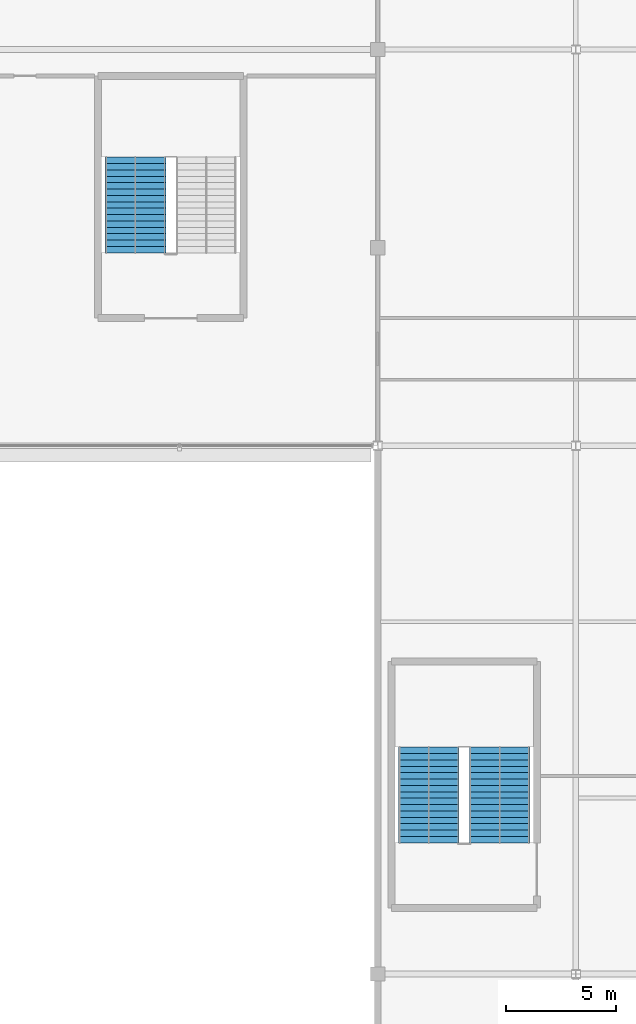
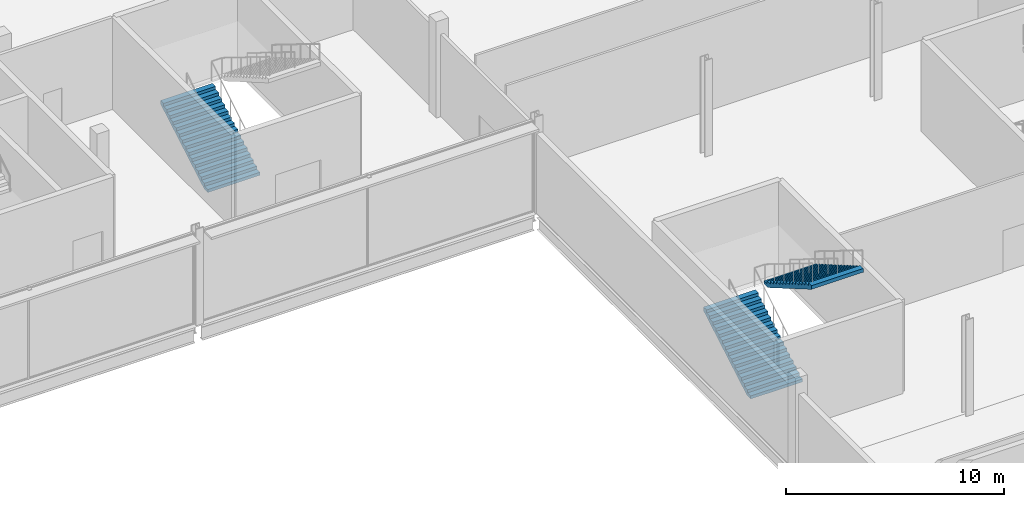
# One storey, part 93 of 111: 3 stair flights, 2 elements without a shape of their own.
"""IFC4 building model written with IfcOpenShell, lengths in metres."""

import ifcopenshell
import ifcopenshell.guid

model = None  # the IFC model being written
_history = None  # IfcOwnerHistory: only IFC2X3 demands one
_inside = {}  # id of a spatial element -> (the spatial element, [elements in it])
_under = {}  # id of a project, library or spatial element -> (it, [spatial elements below it])
_declared = {}  # id of a project -> (the project, [libraries it declares])
_typed = {}  # id of a type object -> (the type object, [elements of that type])
_made_of = {}  # id of a material, layer set ... -> (it, [elements and type objects made of it])


def new_model(schema):
    """Start an empty IFC model of exactly this schema.

    Asked for "IFC4X3", IfcOpenShell would pick the latest addendum, in which some entities
    have other attributes; the version numbers below select the first issue.
    IFC2X3 requires an IfcOwnerHistory on every rooted entity: one is made here for all.
    """
    global model, _history
    if schema == "IFC4X3":
        model = ifcopenshell.file(schema_version=(4, 3, 0, 0))
    else:
        model = ifcopenshell.file(schema=schema)
    _inside.clear()
    _under.clear()
    _declared.clear()
    _typed.clear()
    _made_of.clear()
    _history = None
    if model.schema == "IFC2X3":
        org = make("IfcOrganization", Name="unknown")
        user = make(
            "IfcPersonAndOrganization",
            ThePerson=make("IfcPerson", FamilyName="unknown"),
            TheOrganization=org,
        )
        app = make(
            "IfcApplication",
            ApplicationDeveloper=org,
            Version="unknown",
            ApplicationFullName="unknown",
            ApplicationIdentifier="unknown",
        )
        _history = make(
            "IfcOwnerHistory",
            OwningUser=user,
            OwningApplication=app,
            ChangeAction="ADDED",
            CreationDate=0,
        )
    return model


def make(cls, **values):
    """One entity of the class cls with the attributes given. An attribute that is None is left unset."""
    return model.create_entity(
        cls, **{name: value for name, value in values.items() if value is not None}
    )


def rooted(cls, **values):
    """An entity with a GlobalId (a new one), such as an element, a storey or a relation."""
    return make(cls, GlobalId=ifcopenshell.guid.new(), OwnerHistory=_history, **values)


def si_unit(unit_type, name, prefix=None):
    """IfcSIUnit, for example si_unit("LENGTHUNIT", "METRE", prefix="MILLI")."""
    return make("IfcSIUnit", UnitType=unit_type, Prefix=prefix, Name=name)


def assignment(units):
    """IfcUnitAssignment: the units of a project."""
    return None if units is None else make("IfcUnitAssignment", Units=units)


def point(xyz):
    """IfcCartesianPoint."""
    return None if xyz is None else make("IfcCartesianPoint", Coordinates=xyz)


def direction(xyz):
    """IfcDirection."""
    return None if xyz is None else make("IfcDirection", DirectionRatios=xyz)


def frame(location, z_axis=None, x_axis=None):
    """IfcAxis2Placement3D, a coordinate frame: its origin and axes. An axis left out is left unset."""
    return make(
        "IfcAxis2Placement3D",
        Location=point(location),
        Axis=direction(z_axis),
        RefDirection=direction(x_axis),
    )


def origin():
    """The frame at (0, 0, 0) with its axes left unset."""
    return frame((0.0, 0.0, 0.0))


def place(relative_to, where):
    """IfcLocalPlacement: puts the frame where relative to a parent placement (None: the world)."""
    return make(
        "IfcLocalPlacement", PlacementRelTo=relative_to, RelativePlacement=where
    )


def context(
    kind, dimensions, precision=None, world=None, true_north=None, identifier=None
):
    """IfcGeometricRepresentationContext, for example the 3D "Model" context."""
    return make(
        "IfcGeometricRepresentationContext",
        ContextIdentifier=identifier,
        ContextType=kind,
        CoordinateSpaceDimension=dimensions,
        Precision=precision,
        WorldCoordinateSystem=world,
        TrueNorth=true_north,
    )


def subcontext(parent, identifier, kind, view, scale=None):
    """IfcGeometricRepresentationSubContext, for example "Body" below "Model"."""
    return make(
        "IfcGeometricRepresentationSubContext",
        ContextIdentifier=identifier,
        ContextType=kind,
        ParentContext=parent,
        TargetScale=scale,
        TargetView=view,
    )


def project(units=None, contexts=None):
    """IfcProject with its units and contexts."""
    return rooted(
        "IfcProject",
        Name="project",
        RepresentationContexts=contexts,
        UnitsInContext=assignment(units),
    )


def spatial(cls, under=None, at=None, **own):
    """A site, building, storey or space (cls), placed at a placement, below another one or the project."""
    s = rooted(cls, ObjectPlacement=at, **own)
    if under is not None:
        _under.setdefault(under.id(), (under, []))[1].append(s)
    return s


def point_list(points):
    """IfcCartesianPointList2D or 3D."""
    cls = (
        "IfcCartesianPointList2D" if len(points[0]) == 2 else "IfcCartesianPointList3D"
    )
    return make(cls, CoordList=points)


def polygons(points, faces, closed=None, point_numbers=None):
    """IfcPolygonalFaceSet: a face is its outer loop, then its inner loops; points numbered from 1."""
    made = []
    for loops in faces:
        if len(loops) == 1:
            made.append(make("IfcIndexedPolygonalFace", CoordIndex=loops[0]))
        else:
            made.append(
                make(
                    "IfcIndexedPolygonalFaceWithVoids",
                    CoordIndex=loops[0],
                    InnerCoordIndices=loops[1:],
                )
            )
    return make(
        "IfcPolygonalFaceSet",
        Coordinates=point_list(points),
        Closed=closed,
        Faces=made,
        PnIndex=point_numbers,
    )


def shape(context_of_items, identifier, shape_type, items):
    """IfcShapeRepresentation: the items that make up one representation, for example the "Body"."""
    return make(
        "IfcShapeRepresentation",
        ContextOfItems=context_of_items,
        RepresentationIdentifier=identifier,
        RepresentationType=shape_type,
        Items=items,
    )


def material(Name=None, Category=None):
    """IfcMaterial."""
    return make("IfcMaterial", Name=Name, Category=Category)


def made_of(thing, what):
    """Note that an element or type object is made of a material, layer set ...; save() writes the relation."""
    if what is not None:
        _made_of.setdefault(what.id(), (what, []))[1].append(thing)
    return thing


def type_object(cls, material=None, **own):
    """A type object (cls), such as IfcWallType, which elements share."""
    return made_of(rooted(cls, **own), material)


def element(
    cls,
    number,
    at=None,
    inside=None,
    cuts=None,
    type_object=None,
    material=None,
    context=None,
    identifier="Body",
    shape_type=None,
    held_by="IfcProductDefinitionShape",
    body=None,
    shapes=None,
    **own,
):
    """One element of the class cls, such as IfcWall. Its Tag is "e" and its number.

    at: its placement. inside: the storey or other place that contains it. cuts: it is an
    opening in that element (IfcRelVoidsElement). A single representation is given by context,
    identifier, shape_type and body (its items); several are given by shapes. held_by: the class
    of the entity that holds the representations. save() writes the other relations.
    """
    e = rooted(cls, Tag="e%d" % number, ObjectPlacement=at, **own)
    if body is not None:
        shapes = [shape(context, identifier, shape_type, body)]
    if shapes is not None:
        e.Representation = make(held_by, Representations=shapes)
    if inside is not None:
        _inside.setdefault(inside.id(), (inside, []))[1].append(e)
    if cuts is not None:
        rooted(
            "IfcRelVoidsElement", RelatingBuildingElement=cuts, RelatedOpeningElement=e
        )
    if type_object is not None:
        _typed.setdefault(type_object.id(), (type_object, []))[1].append(e)
    return made_of(e, material)


def aggregate(whole, parts):
    """IfcRelAggregates: a whole, such as a stair, and the parts it consists of."""
    return rooted("IfcRelAggregates", RelatingObject=whole, RelatedObjects=parts)


def save(model, path):
    """Write the relations noted so far, then the file.

    IfcRelAggregates (storeys below a building ...), IfcRelContainedInSpatialStructure (elements
    in a storey), IfcRelDefinesByType, IfcRelAssociatesMaterial and IfcRelDeclares: one each for
    every whole, place, type object, material and project.
    """
    for whole, parts in _under.values():
        aggregate(whole, parts)
    for where, things in _inside.values():
        rooted(
            "IfcRelContainedInSpatialStructure",
            RelatedElements=things,
            RelatingStructure=where,
        )
    for kind, things in _typed.values():
        rooted("IfcRelDefinesByType", RelatedObjects=things, RelatingType=kind)
    for what, things in _made_of.values():
        rooted("IfcRelAssociatesMaterial", RelatedObjects=things, RelatingMaterial=what)
    for by, libraries in _declared.values():
        rooted("IfcRelDeclares", RelatingContext=by, RelatedDefinitions=libraries)
    model.write(path)


model = new_model("IFC4")

# Units and contexts
model_context = context("Model", 3, precision=1e-05, world=origin(), true_north=direction((0.0, 1.0)))
body_context = subcontext(model_context, "Body", "Model", "MODEL_VIEW")
ifc_project = project(units=[si_unit("LENGTHUNIT", "METRE"), si_unit("AREAUNIT", "SQUARE_METRE"), si_unit("VOLUMEUNIT", "CUBIC_METRE"), si_unit("PLANEANGLEUNIT", "RADIAN"), si_unit("MASSUNIT", "GRAM", prefix="KILO")], contexts=[model_context])

# Site, building, storey
site_placement = place(None, origin())
site = spatial("IfcSite", under=ifc_project, at=site_placement, CompositionType="ELEMENT")
building_placement = place(site_placement, origin())
building = spatial("IfcBuilding", under=site, at=building_placement, Name="Kisiwana Market Hall", CompositionType="ELEMENT")
storey_placement = place(building_placement, frame((0.0, 0.0, 11.39990234375)))
storey = spatial("IfcBuildingStorey", under=building, at=storey_placement, Name="L02", CompositionType="ELEMENT", Elevation=11.39990234375)

# Stair, stair flights
ifc_material_1 = material(Name="Concrete C32/40", Category="concrete")
stair_type = type_object("IfcStairType", Name="ST-ESC-5400", PredefinedType="TWO_STRAIGHT_RUN_STAIR", material=ifc_material_1)
stair_1_placement = place(storey_placement, origin())
stair_1 = element("IfcStair", 1, at=stair_1_placement, inside=storey, type_object=stair_type, Name="Escape stair ST-E10-L02", PredefinedType="TWO_STRAIGHT_RUN_STAIR")
ifc_material_2 = material(Name="Concrete C32/40", Category="concrete")
stair_flight_type = type_object("IfcStairFlightType", Name="SF-ESC-5400", PredefinedType="STRAIGHT", material=ifc_material_2)
stair_flight_1_placement = place(storey_placement, frame((155.320068359375, 65.9599609375, 0.0), z_axis=(0.0, 0.0, 1.0), x_axis=(0.0, 1.0, 0.0)))
stair_flight_1 = element("IfcStairFlight", 2, at=stair_flight_1_placement, type_object=stair_flight_type, Name="ST-E10-L02 flight 1", NumberOfRisers=16, NumberOfTreads=15, PredefinedType="STRAIGHT", RiserHeight=0.16875, TreadLength=0.29, context=body_context, shape_type="Tessellation", body=[
    polygons([(0.0, -1.380127, 0.0), (0.0, -0.690125, 0.0), (0.0, -0.000122, 0.0), (0.0, 0.68988, 0.0), (0.0, 1.379883, 0.0), (0.0, -1.380127, 0.168701), (0.0, -0.690125, 0.168701), (0.0, -0.000122, 0.168701), (0.0, 0.68988, 0.168701), (0.0, 1.379883, 0.168701), (0.290039, -1.380127, 0.168701), (0.290039, -0.690125, 0.168701), (0.290039, -0.000122, 0.168701), (0.290039, 0.68988, 0.168701), (0.290039, 1.379883, 0.168701), (0.290039, -1.380127, 0.337402), (0.290039, -0.690125, 0.337402), (0.290039, -0.000122, 0.337402), (0.290039, 0.68988, 0.337402), (0.290039, 1.379883, 0.337402), (0.580078, -1.380127, 0.337402), (0.580078, -0.690125, 0.337402), (0.580078, -0.000122, 0.337402), (0.580078, 0.68988, 0.337402), (0.580078, 1.379883, 0.337402), (0.580078, -1.380127, 0.506348), (0.580078, -0.690125, 0.506348), (0.580078, -0.000122, 0.506348), (0.580078, 0.68988, 0.506348), (0.580078, 1.379883, 0.506348), (0.870117, -1.380127, 0.506348), (0.870117, -0.690125, 0.506348), (0.870117, -0.000122, 0.506348), (0.870117, 0.68988, 0.506348), (0.870117, 1.379883, 0.506348), (0.870117, -1.380127, 0.675049), (0.870117, -0.690125, 0.675049), (0.870117, -0.000122, 0.675049), (0.870117, 0.68988, 0.675049), (0.870117, 1.379883, 0.675049), (1.159912, -1.380127, 0.675049), (1.159912, -0.690125, 0.675049), (1.159912, -0.000122, 0.675049), (1.159912, 0.68988, 0.675049), (1.159912, 1.379883, 0.675049), (1.159912, -1.380127, 0.84375), (1.159912, -0.690125, 0.84375), (1.159912, -0.000122, 0.84375), (1.159912, 0.68988, 0.84375), (1.159912, 1.379883, 0.84375), (1.449951, -1.380127, 0.84375), (1.449951, -0.690125, 0.84375), (1.449951, -0.000122, 0.84375), (1.449951, 0.68988, 0.84375), (1.449951, 1.379883, 0.84375), (1.449951, -1.380127, 1.012451), (1.449951, -0.690125, 1.012451), (1.449951, -0.000122, 1.012451), (1.449951, 0.68988, 1.012451), (1.449951, 1.379883, 1.012451), (1.73999, -1.380127, 1.012451), (1.73999, -0.690125, 1.012451), (1.73999, -0.000122, 1.012451), (1.73999, 0.68988, 1.012451), (1.73999, 1.379883, 1.012451), (1.73999, -1.380127, 1.181152), (1.73999, -0.690125, 1.181152), (1.73999, -0.000122, 1.181152), (1.73999, 0.68988, 1.181152), (1.73999, 1.379883, 1.181152), (2.030029, -1.380127, 1.181152), (2.030029, -0.690125, 1.181152), (2.030029, -0.000122, 1.181152), (2.030029, 0.68988, 1.181152), (2.030029, 1.379883, 1.181152), (2.030029, -1.380127, 1.350098), (2.030029, -0.690125, 1.350098), (2.030029, -0.000122, 1.350098), (2.030029, 0.68988, 1.350098), (2.030029, 1.379883, 1.350098), (2.320068, -1.380127, 1.350098), (2.320068, -0.690125, 1.350098), (2.320068, -0.000122, 1.350098), (2.320068, 0.68988, 1.350098), (2.320068, 1.379883, 1.350098), (2.320068, -1.380127, 1.518799), (2.320068, -0.690125, 1.518799), (2.320068, -0.000122, 1.518799), (2.320068, 0.68988, 1.518799), (2.320068, 1.379883, 1.518799), (2.610107, -1.380127, 1.518799), (2.610107, -0.690125, 1.518799), (2.610107, -0.000122, 1.518799), (2.610107, 0.68988, 1.518799), (2.610107, 1.379883, 1.518799), (2.610107, -1.380127, 1.6875), (2.610107, -0.690125, 1.6875), (2.610107, -0.000122, 1.6875), (2.610107, 0.68988, 1.6875), (2.610107, 1.379883, 1.6875), (2.899902, -1.380127, 1.6875), (2.899902, -0.690125, 1.6875), (2.899902, -0.000122, 1.6875), (2.899902, 0.68988, 1.6875), (2.899902, 1.379883, 1.6875), (2.899902, -1.380127, 1.856201), (2.899902, -0.690125, 1.856201), (2.899902, -0.000122, 1.856201), (2.899902, 0.68988, 1.856201), (2.899902, 1.379883, 1.856201), (3.189941, -1.380127, 1.856201), (3.189941, -0.690125, 1.856201), (3.189941, -0.000122, 1.856201), (3.189941, 0.68988, 1.856201), (3.189941, 1.379883, 1.856201), (3.189941, -1.380127, 2.024902), (3.189941, -0.690125, 2.024902), (3.189941, -0.000122, 2.024902), (3.189941, 0.68988, 2.024902), (3.189941, 1.379883, 2.024902), (3.47998, -1.380127, 2.024902), (3.47998, -0.690125, 2.024902), (3.47998, -0.000122, 2.024902), (3.47998, 0.68988, 2.024902), (3.47998, 1.379883, 2.024902), (3.47998, -1.380127, 2.193848), (3.47998, -0.690125, 2.193848), (3.47998, -0.000122, 2.193848), (3.47998, 0.68988, 2.193848), (3.47998, 1.379883, 2.193848), (3.77002, -1.380127, 2.193848), (3.77002, -0.690125, 2.193848), (3.77002, -0.000122, 2.193848), (3.77002, 0.68988, 2.193848), (3.77002, 1.379883, 2.193848), (3.77002, -1.380127, 2.362549), (3.77002, -0.690125, 2.362549), (3.77002, -0.000122, 2.362549), (3.77002, 0.68988, 2.362549), (3.77002, 1.379883, 2.362549), (4.060059, -1.380127, 2.362549), (4.060059, -0.690125, 2.362549), (4.060059, -0.000122, 2.362549), (4.060059, 0.68988, 2.362549), (4.060059, 1.379883, 2.362549), (4.060059, -1.380127, 2.53125), (4.060059, -0.690125, 2.53125), (4.060059, -0.000122, 2.53125), (4.060059, 0.68988, 2.53125), (4.060059, 1.379883, 2.53125), (4.350098, -1.380127, 2.53125), (4.350098, -0.690125, 2.53125), (4.350098, -0.000122, 2.53125), (4.350098, 0.68988, 2.53125), (4.350098, 1.379883, 2.53125), (4.350098, -1.380127, 2.322998), (4.350098, -0.690125, 2.322998), (4.350098, -0.000122, 2.322998), (4.350098, 0.68988, 2.322998), (4.350098, 1.379883, 2.322998), (0.357666, -1.380127, 0.0), (0.357666, -0.690125, 0.0), (0.357666, -0.000122, 0.0), (0.357666, 0.68988, 0.0), (0.357666, 1.379883, 0.0)], [[[1, 6, 7, 2]], [[2, 7, 8, 3]], [[3, 8, 9, 4]], [[4, 9, 10, 5]], [[6, 11, 12, 7]], [[7, 12, 13, 8]], [[8, 13, 14, 9]], [[9, 14, 15, 10]], [[11, 16, 17, 12]], [[12, 17, 18, 13]], [[13, 18, 19, 14]], [[14, 19, 20, 15]], [[16, 21, 22, 17]], [[17, 22, 23, 18]], [[18, 23, 24, 19]], [[19, 24, 25, 20]], [[21, 26, 27, 22]], [[22, 27, 28, 23]], [[23, 28, 29, 24]], [[24, 29, 30, 25]], [[26, 31, 32, 27]], [[27, 32, 33, 28]], [[28, 33, 34, 29]], [[29, 34, 35, 30]], [[31, 36, 37, 32]], [[32, 37, 38, 33]], [[33, 38, 39, 34]], [[34, 39, 40, 35]], [[36, 41, 42, 37]], [[37, 42, 43, 38]], [[38, 43, 44, 39]], [[39, 44, 45, 40]], [[41, 46, 47, 42]], [[42, 47, 48, 43]], [[43, 48, 49, 44]], [[44, 49, 50, 45]], [[46, 51, 52, 47]], [[47, 52, 53, 48]], [[48, 53, 54, 49]], [[49, 54, 55, 50]], [[51, 56, 57, 52]], [[52, 57, 58, 53]], [[53, 58, 59, 54]], [[54, 59, 60, 55]], [[56, 61, 62, 57]], [[57, 62, 63, 58]], [[58, 63, 64, 59]], [[59, 64, 65, 60]], [[61, 66, 67, 62]], [[62, 67, 68, 63]], [[63, 68, 69, 64]], [[64, 69, 70, 65]], [[66, 71, 72, 67]], [[67, 72, 73, 68]], [[68, 73, 74, 69]], [[69, 74, 75, 70]], [[71, 76, 77, 72]], [[72, 77, 78, 73]], [[73, 78, 79, 74]], [[74, 79, 80, 75]], [[76, 81, 82, 77]], [[77, 82, 83, 78]], [[78, 83, 84, 79]], [[79, 84, 85, 80]], [[81, 86, 87, 82]], [[82, 87, 88, 83]], [[83, 88, 89, 84]], [[84, 89, 90, 85]], [[86, 91, 92, 87]], [[87, 92, 93, 88]], [[88, 93, 94, 89]], [[89, 94, 95, 90]], [[91, 96, 97, 92]], [[92, 97, 98, 93]], [[93, 98, 99, 94]], [[94, 99, 100, 95]], [[96, 101, 102, 97]], [[97, 102, 103, 98]], [[98, 103, 104, 99]], [[99, 104, 105, 100]], [[101, 106, 107, 102]], [[102, 107, 108, 103]], [[103, 108, 109, 104]], [[104, 109, 110, 105]], [[106, 111, 112, 107]], [[107, 112, 113, 108]], [[108, 113, 114, 109]], [[109, 114, 115, 110]], [[111, 116, 117, 112]], [[112, 117, 118, 113]], [[113, 118, 119, 114]], [[114, 119, 120, 115]], [[116, 121, 122, 117]], [[117, 122, 123, 118]], [[118, 123, 124, 119]], [[119, 124, 125, 120]], [[121, 126, 127, 122]], [[122, 127, 128, 123]], [[123, 128, 129, 124]], [[124, 129, 130, 125]], [[126, 131, 132, 127]], [[127, 132, 133, 128]], [[128, 133, 134, 129]], [[129, 134, 135, 130]], [[131, 136, 137, 132]], [[132, 137, 138, 133]], [[133, 138, 139, 134]], [[134, 139, 140, 135]], [[136, 141, 142, 137]], [[137, 142, 143, 138]], [[138, 143, 144, 139]], [[139, 144, 145, 140]], [[141, 146, 147, 142]], [[142, 147, 148, 143]], [[143, 148, 149, 144]], [[144, 149, 150, 145]], [[146, 151, 152, 147]], [[147, 152, 153, 148]], [[148, 153, 154, 149]], [[149, 154, 155, 150]], [[151, 156, 157, 152]], [[152, 157, 158, 153]], [[153, 158, 159, 154]], [[154, 159, 160, 155]], [[156, 161, 162, 157]], [[157, 162, 163, 158]], [[158, 163, 164, 159]], [[159, 164, 165, 160]], [[161, 1, 2, 162]], [[162, 2, 3, 163]], [[163, 3, 4, 164]], [[164, 4, 5, 165]], [[161, 156, 151, 146, 141, 136, 131, 126, 121, 116, 111, 106, 101, 96, 91, 86, 81, 76, 71, 66, 61, 56, 51, 46, 41, 36, 31, 26, 21, 16, 11, 6, 1]], [[5, 10, 15, 20, 25, 30, 35, 40, 45, 50, 55, 60, 65, 70, 75, 80, 85, 90, 95, 100, 105, 110, 115, 120, 125, 130, 135, 140, 145, 150, 155, 160, 165]]], closed=True),
])
stair_flight_2_placement = place(storey_placement, frame((158.5400390625, 70.31005859375, 2.7001953125), z_axis=(0.0, 0.0, 1.0), x_axis=(0.0, -1.0, 0.0)))
stair_flight_2 = element("IfcStairFlight", 3, at=stair_flight_2_placement, type_object=stair_flight_type, Name="ST-E10-L02 flight 2", NumberOfRisers=16, NumberOfTreads=15, PredefinedType="STRAIGHT", RiserHeight=0.16875, TreadLength=0.29, context=body_context, shape_type="Tessellation", body=[
    polygons([(0.0, -1.380127, 0.0), (0.0, -0.690125, 0.0), (0.0, -0.000122, 0.0), (0.0, 0.68988, 0.0), (0.0, 1.379883, 0.0), (0.0, -1.380127, 0.168701), (0.0, -0.690125, 0.168701), (0.0, -0.000122, 0.168701), (0.0, 0.68988, 0.168701), (0.0, 1.379883, 0.168701), (0.290039, -1.380127, 0.168701), (0.290039, -0.690125, 0.168701), (0.290039, -0.000122, 0.168701), (0.290039, 0.68988, 0.168701), (0.290039, 1.379883, 0.168701), (0.290039, -1.380127, 0.337402), (0.290039, -0.690125, 0.337402), (0.290039, -0.000122, 0.337402), (0.290039, 0.68988, 0.337402), (0.290039, 1.379883, 0.337402), (0.580078, -1.380127, 0.337402), (0.580078, -0.690125, 0.337402), (0.580078, -0.000122, 0.337402), (0.580078, 0.68988, 0.337402), (0.580078, 1.379883, 0.337402), (0.580078, -1.380127, 0.506348), (0.580078, -0.690125, 0.506348), (0.580078, -0.000122, 0.506348), (0.580078, 0.68988, 0.506348), (0.580078, 1.379883, 0.506348), (0.870117, -1.380127, 0.506348), (0.870117, -0.690125, 0.506348), (0.870117, -0.000122, 0.506348), (0.870117, 0.68988, 0.506348), (0.870117, 1.379883, 0.506348), (0.870117, -1.380127, 0.675049), (0.870117, -0.690125, 0.675049), (0.870117, -0.000122, 0.675049), (0.870117, 0.68988, 0.675049), (0.870117, 1.379883, 0.675049), (1.159912, -1.380127, 0.675049), (1.159912, -0.690125, 0.675049), (1.159912, -0.000122, 0.675049), (1.159912, 0.68988, 0.675049), (1.159912, 1.379883, 0.675049), (1.159912, -1.380127, 0.84375), (1.159912, -0.690125, 0.84375), (1.159912, -0.000122, 0.84375), (1.159912, 0.68988, 0.84375), (1.159912, 1.379883, 0.84375), (1.449951, -1.380127, 0.84375), (1.449951, -0.690125, 0.84375), (1.449951, -0.000122, 0.84375), (1.449951, 0.68988, 0.84375), (1.449951, 1.379883, 0.84375), (1.449951, -1.380127, 1.012451), (1.449951, -0.690125, 1.012451), (1.449951, -0.000122, 1.012451), (1.449951, 0.68988, 1.012451), (1.449951, 1.379883, 1.012451), (1.73999, -1.380127, 1.012451), (1.73999, -0.690125, 1.012451), (1.73999, -0.000122, 1.012451), (1.73999, 0.68988, 1.012451), (1.73999, 1.379883, 1.012451), (1.73999, -1.380127, 1.181152), (1.73999, -0.690125, 1.181152), (1.73999, -0.000122, 1.181152), (1.73999, 0.68988, 1.181152), (1.73999, 1.379883, 1.181152), (2.030029, -1.380127, 1.181152), (2.030029, -0.690125, 1.181152), (2.030029, -0.000122, 1.181152), (2.030029, 0.68988, 1.181152), (2.030029, 1.379883, 1.181152), (2.030029, -1.380127, 1.350098), (2.030029, -0.690125, 1.350098), (2.030029, -0.000122, 1.350098), (2.030029, 0.68988, 1.350098), (2.030029, 1.379883, 1.350098), (2.320068, -1.380127, 1.350098), (2.320068, -0.690125, 1.350098), (2.320068, -0.000122, 1.350098), (2.320068, 0.68988, 1.350098), (2.320068, 1.379883, 1.350098), (2.320068, -1.380127, 1.518799), (2.320068, -0.690125, 1.518799), (2.320068, -0.000122, 1.518799), (2.320068, 0.68988, 1.518799), (2.320068, 1.379883, 1.518799), (2.610107, -1.380127, 1.518799), (2.610107, -0.690125, 1.518799), (2.610107, -0.000122, 1.518799), (2.610107, 0.68988, 1.518799), (2.610107, 1.379883, 1.518799), (2.610107, -1.380127, 1.6875), (2.610107, -0.690125, 1.6875), (2.610107, -0.000122, 1.6875), (2.610107, 0.68988, 1.6875), (2.610107, 1.379883, 1.6875), (2.899902, -1.380127, 1.6875), (2.899902, -0.690125, 1.6875), (2.899902, -0.000122, 1.6875), (2.899902, 0.68988, 1.6875), (2.899902, 1.379883, 1.6875), (2.899902, -1.380127, 1.856201), (2.899902, -0.690125, 1.856201), (2.899902, -0.000122, 1.856201), (2.899902, 0.68988, 1.856201), (2.899902, 1.379883, 1.856201), (3.189941, -1.380127, 1.856201), (3.189941, -0.690125, 1.856201), (3.189941, -0.000122, 1.856201), (3.189941, 0.68988, 1.856201), (3.189941, 1.379883, 1.856201), (3.189941, -1.380127, 2.024902), (3.189941, -0.690125, 2.024902), (3.189941, -0.000122, 2.024902), (3.189941, 0.68988, 2.024902), (3.189941, 1.379883, 2.024902), (3.47998, -1.380127, 2.024902), (3.47998, -0.690125, 2.024902), (3.47998, -0.000122, 2.024902), (3.47998, 0.68988, 2.024902), (3.47998, 1.379883, 2.024902), (3.47998, -1.380127, 2.193848), (3.47998, -0.690125, 2.193848), (3.47998, -0.000122, 2.193848), (3.47998, 0.68988, 2.193848), (3.47998, 1.379883, 2.193848), (3.77002, -1.380127, 2.193848), (3.77002, -0.690125, 2.193848), (3.77002, -0.000122, 2.193848), (3.77002, 0.68988, 2.193848), (3.77002, 1.379883, 2.193848), (3.77002, -1.380127, 2.362549), (3.77002, -0.690125, 2.362549), (3.77002, -0.000122, 2.362549), (3.77002, 0.68988, 2.362549), (3.77002, 1.379883, 2.362549), (4.060059, -1.380127, 2.362549), (4.060059, -0.690125, 2.362549), (4.060059, -0.000122, 2.362549), (4.060059, 0.68988, 2.362549), (4.060059, 1.379883, 2.362549), (4.060059, -1.380127, 2.53125), (4.060059, -0.690125, 2.53125), (4.060059, -0.000122, 2.53125), (4.060059, 0.68988, 2.53125), (4.060059, 1.379883, 2.53125), (4.350098, -1.380127, 2.53125), (4.350098, -0.690125, 2.53125), (4.350098, -0.000122, 2.53125), (4.350098, 0.68988, 2.53125), (4.350098, 1.379883, 2.53125), (4.350098, -1.380127, 2.322998), (4.350098, -0.690125, 2.322998), (4.350098, -0.000122, 2.322998), (4.350098, 0.68988, 2.322998), (4.350098, 1.379883, 2.322998), (0.357666, -1.380127, 0.0), (0.357666, -0.690125, 0.0), (0.357666, -0.000122, 0.0), (0.357666, 0.68988, 0.0), (0.357666, 1.379883, 0.0)], [[[1, 6, 7, 2]], [[2, 7, 8, 3]], [[3, 8, 9, 4]], [[4, 9, 10, 5]], [[6, 11, 12, 7]], [[7, 12, 13, 8]], [[8, 13, 14, 9]], [[9, 14, 15, 10]], [[11, 16, 17, 12]], [[12, 17, 18, 13]], [[13, 18, 19, 14]], [[14, 19, 20, 15]], [[16, 21, 22, 17]], [[17, 22, 23, 18]], [[18, 23, 24, 19]], [[19, 24, 25, 20]], [[21, 26, 27, 22]], [[22, 27, 28, 23]], [[23, 28, 29, 24]], [[24, 29, 30, 25]], [[26, 31, 32, 27]], [[27, 32, 33, 28]], [[28, 33, 34, 29]], [[29, 34, 35, 30]], [[31, 36, 37, 32]], [[32, 37, 38, 33]], [[33, 38, 39, 34]], [[34, 39, 40, 35]], [[36, 41, 42, 37]], [[37, 42, 43, 38]], [[38, 43, 44, 39]], [[39, 44, 45, 40]], [[41, 46, 47, 42]], [[42, 47, 48, 43]], [[43, 48, 49, 44]], [[44, 49, 50, 45]], [[46, 51, 52, 47]], [[47, 52, 53, 48]], [[48, 53, 54, 49]], [[49, 54, 55, 50]], [[51, 56, 57, 52]], [[52, 57, 58, 53]], [[53, 58, 59, 54]], [[54, 59, 60, 55]], [[56, 61, 62, 57]], [[57, 62, 63, 58]], [[58, 63, 64, 59]], [[59, 64, 65, 60]], [[61, 66, 67, 62]], [[62, 67, 68, 63]], [[63, 68, 69, 64]], [[64, 69, 70, 65]], [[66, 71, 72, 67]], [[67, 72, 73, 68]], [[68, 73, 74, 69]], [[69, 74, 75, 70]], [[71, 76, 77, 72]], [[72, 77, 78, 73]], [[73, 78, 79, 74]], [[74, 79, 80, 75]], [[76, 81, 82, 77]], [[77, 82, 83, 78]], [[78, 83, 84, 79]], [[79, 84, 85, 80]], [[81, 86, 87, 82]], [[82, 87, 88, 83]], [[83, 88, 89, 84]], [[84, 89, 90, 85]], [[86, 91, 92, 87]], [[87, 92, 93, 88]], [[88, 93, 94, 89]], [[89, 94, 95, 90]], [[91, 96, 97, 92]], [[92, 97, 98, 93]], [[93, 98, 99, 94]], [[94, 99, 100, 95]], [[96, 101, 102, 97]], [[97, 102, 103, 98]], [[98, 103, 104, 99]], [[99, 104, 105, 100]], [[101, 106, 107, 102]], [[102, 107, 108, 103]], [[103, 108, 109, 104]], [[104, 109, 110, 105]], [[106, 111, 112, 107]], [[107, 112, 113, 108]], [[108, 113, 114, 109]], [[109, 114, 115, 110]], [[111, 116, 117, 112]], [[112, 117, 118, 113]], [[113, 118, 119, 114]], [[114, 119, 120, 115]], [[116, 121, 122, 117]], [[117, 122, 123, 118]], [[118, 123, 124, 119]], [[119, 124, 125, 120]], [[121, 126, 127, 122]], [[122, 127, 128, 123]], [[123, 128, 129, 124]], [[124, 129, 130, 125]], [[126, 131, 132, 127]], [[127, 132, 133, 128]], [[128, 133, 134, 129]], [[129, 134, 135, 130]], [[131, 136, 137, 132]], [[132, 137, 138, 133]], [[133, 138, 139, 134]], [[134, 139, 140, 135]], [[136, 141, 142, 137]], [[137, 142, 143, 138]], [[138, 143, 144, 139]], [[139, 144, 145, 140]], [[141, 146, 147, 142]], [[142, 147, 148, 143]], [[143, 148, 149, 144]], [[144, 149, 150, 145]], [[146, 151, 152, 147]], [[147, 152, 153, 148]], [[148, 153, 154, 149]], [[149, 154, 155, 150]], [[151, 156, 157, 152]], [[152, 157, 158, 153]], [[153, 158, 159, 154]], [[154, 159, 160, 155]], [[156, 161, 162, 157]], [[157, 162, 163, 158]], [[158, 163, 164, 159]], [[159, 164, 165, 160]], [[161, 1, 2, 162]], [[162, 2, 3, 163]], [[163, 3, 4, 164]], [[164, 4, 5, 165]], [[161, 156, 151, 146, 141, 136, 131, 126, 121, 116, 111, 106, 101, 96, 91, 86, 81, 76, 71, 66, 61, 56, 51, 46, 41, 36, 31, 26, 21, 16, 11, 6, 1]], [[5, 10, 15, 20, 25, 30, 35, 40, 45, 50, 55, 60, 65, 70, 75, 80, 85, 90, 95, 100, 105, 110, 115, 120, 125, 130, 135, 140, 145, 150, 155, 160, 165]]], closed=True),
])
aggregate(stair_1, [stair_flight_1, stair_flight_2])

# Stair, stair flight
stair_2_placement = place(storey_placement, origin())
stair_2 = element("IfcStair", 4, at=stair_2_placement, inside=storey, type_object=stair_type, Name="Escape stair ST-N6-L02", PredefinedType="TWO_STRAIGHT_RUN_STAIR")
stair_flight_3_placement = place(storey_placement, frame((141.989990234375, 92.760009765625, 0.0), z_axis=(0.0, 0.0, 1.0), x_axis=(0.0, 1.0, 0.0)))
stair_flight_3 = element("IfcStairFlight", 5, at=stair_flight_3_placement, type_object=stair_flight_type, Name="ST-N6-L02 flight 1", NumberOfRisers=16, NumberOfTreads=15, PredefinedType="STRAIGHT", RiserHeight=0.16875, TreadLength=0.29, context=body_context, shape_type="Tessellation", body=[
    polygons([(0.0, -1.380127, 0.0), (0.0, -0.690125, 0.0), (0.0, -0.000122, 0.0), (0.0, 0.68988, 0.0), (0.0, 1.379883, 0.0), (0.0, -1.380127, 0.168701), (0.0, -0.690125, 0.168701), (0.0, -0.000122, 0.168701), (0.0, 0.68988, 0.168701), (0.0, 1.379883, 0.168701), (0.290039, -1.380127, 0.168701), (0.290039, -0.690125, 0.168701), (0.290039, -0.000122, 0.168701), (0.290039, 0.68988, 0.168701), (0.290039, 1.379883, 0.168701), (0.290039, -1.380127, 0.337402), (0.290039, -0.690125, 0.337402), (0.290039, -0.000122, 0.337402), (0.290039, 0.68988, 0.337402), (0.290039, 1.379883, 0.337402), (0.580078, -1.380127, 0.337402), (0.580078, -0.690125, 0.337402), (0.580078, -0.000122, 0.337402), (0.580078, 0.68988, 0.337402), (0.580078, 1.379883, 0.337402), (0.580078, -1.380127, 0.506348), (0.580078, -0.690125, 0.506348), (0.580078, -0.000122, 0.506348), (0.580078, 0.68988, 0.506348), (0.580078, 1.379883, 0.506348), (0.870117, -1.380127, 0.506348), (0.870117, -0.690125, 0.506348), (0.870117, -0.000122, 0.506348), (0.870117, 0.68988, 0.506348), (0.870117, 1.379883, 0.506348), (0.870117, -1.380127, 0.675049), (0.870117, -0.690125, 0.675049), (0.870117, -0.000122, 0.675049), (0.870117, 0.68988, 0.675049), (0.870117, 1.379883, 0.675049), (1.159912, -1.380127, 0.675049), (1.159912, -0.690125, 0.675049), (1.159912, -0.000122, 0.675049), (1.159912, 0.68988, 0.675049), (1.159912, 1.379883, 0.675049), (1.159912, -1.380127, 0.84375), (1.159912, -0.690125, 0.84375), (1.159912, -0.000122, 0.84375), (1.159912, 0.68988, 0.84375), (1.159912, 1.379883, 0.84375), (1.449951, -1.380127, 0.84375), (1.449951, -0.690125, 0.84375), (1.449951, -0.000122, 0.84375), (1.449951, 0.68988, 0.84375), (1.449951, 1.379883, 0.84375), (1.449951, -1.380127, 1.012451), (1.449951, -0.690125, 1.012451), (1.449951, -0.000122, 1.012451), (1.449951, 0.68988, 1.012451), (1.449951, 1.379883, 1.012451), (1.73999, -1.380127, 1.012451), (1.73999, -0.690125, 1.012451), (1.73999, -0.000122, 1.012451), (1.73999, 0.68988, 1.012451), (1.73999, 1.379883, 1.012451), (1.73999, -1.380127, 1.181152), (1.73999, -0.690125, 1.181152), (1.73999, -0.000122, 1.181152), (1.73999, 0.68988, 1.181152), (1.73999, 1.379883, 1.181152), (2.030029, -1.380127, 1.181152), (2.030029, -0.690125, 1.181152), (2.030029, -0.000122, 1.181152), (2.030029, 0.68988, 1.181152), (2.030029, 1.379883, 1.181152), (2.030029, -1.380127, 1.350098), (2.030029, -0.690125, 1.350098), (2.030029, -0.000122, 1.350098), (2.030029, 0.68988, 1.350098), (2.030029, 1.379883, 1.350098), (2.320068, -1.380127, 1.350098), (2.320068, -0.690125, 1.350098), (2.320068, -0.000122, 1.350098), (2.320068, 0.68988, 1.350098), (2.320068, 1.379883, 1.350098), (2.320068, -1.380127, 1.518799), (2.320068, -0.690125, 1.518799), (2.320068, -0.000122, 1.518799), (2.320068, 0.68988, 1.518799), (2.320068, 1.379883, 1.518799), (2.610107, -1.380127, 1.518799), (2.610107, -0.690125, 1.518799), (2.610107, -0.000122, 1.518799), (2.610107, 0.68988, 1.518799), (2.610107, 1.379883, 1.518799), (2.610107, -1.380127, 1.6875), (2.610107, -0.690125, 1.6875), (2.610107, -0.000122, 1.6875), (2.610107, 0.68988, 1.6875), (2.610107, 1.379883, 1.6875), (2.899902, -1.380127, 1.6875), (2.899902, -0.690125, 1.6875), (2.899902, -0.000122, 1.6875), (2.899902, 0.68988, 1.6875), (2.899902, 1.379883, 1.6875), (2.899902, -1.380127, 1.856201), (2.899902, -0.690125, 1.856201), (2.899902, -0.000122, 1.856201), (2.899902, 0.68988, 1.856201), (2.899902, 1.379883, 1.856201), (3.189941, -1.380127, 1.856201), (3.189941, -0.690125, 1.856201), (3.189941, -0.000122, 1.856201), (3.189941, 0.68988, 1.856201), (3.189941, 1.379883, 1.856201), (3.189941, -1.380127, 2.024902), (3.189941, -0.690125, 2.024902), (3.189941, -0.000122, 2.024902), (3.189941, 0.68988, 2.024902), (3.189941, 1.379883, 2.024902), (3.47998, -1.380127, 2.024902), (3.47998, -0.690125, 2.024902), (3.47998, -0.000122, 2.024902), (3.47998, 0.68988, 2.024902), (3.47998, 1.379883, 2.024902), (3.47998, -1.380127, 2.193848), (3.47998, -0.690125, 2.193848), (3.47998, -0.000122, 2.193848), (3.47998, 0.68988, 2.193848), (3.47998, 1.379883, 2.193848), (3.77002, -1.380127, 2.193848), (3.77002, -0.690125, 2.193848), (3.77002, -0.000122, 2.193848), (3.77002, 0.68988, 2.193848), (3.77002, 1.379883, 2.193848), (3.77002, -1.380127, 2.362549), (3.77002, -0.690125, 2.362549), (3.77002, -0.000122, 2.362549), (3.77002, 0.68988, 2.362549), (3.77002, 1.379883, 2.362549), (4.060059, -1.380127, 2.362549), (4.060059, -0.690125, 2.362549), (4.060059, -0.000122, 2.362549), (4.060059, 0.68988, 2.362549), (4.060059, 1.379883, 2.362549), (4.060059, -1.380127, 2.53125), (4.060059, -0.690125, 2.53125), (4.060059, -0.000122, 2.53125), (4.060059, 0.68988, 2.53125), (4.060059, 1.379883, 2.53125), (4.350098, -1.380127, 2.53125), (4.350098, -0.690125, 2.53125), (4.350098, -0.000122, 2.53125), (4.350098, 0.68988, 2.53125), (4.350098, 1.379883, 2.53125), (4.350098, -1.380127, 2.322998), (4.350098, -0.690125, 2.322998), (4.350098, -0.000122, 2.322998), (4.350098, 0.68988, 2.322998), (4.350098, 1.379883, 2.322998), (0.357666, -1.380127, 0.0), (0.357666, -0.690125, 0.0), (0.357666, -0.000122, 0.0), (0.357666, 0.68988, 0.0), (0.357666, 1.379883, 0.0)], [[[1, 6, 7, 2]], [[2, 7, 8, 3]], [[3, 8, 9, 4]], [[4, 9, 10, 5]], [[6, 11, 12, 7]], [[7, 12, 13, 8]], [[8, 13, 14, 9]], [[9, 14, 15, 10]], [[11, 16, 17, 12]], [[12, 17, 18, 13]], [[13, 18, 19, 14]], [[14, 19, 20, 15]], [[16, 21, 22, 17]], [[17, 22, 23, 18]], [[18, 23, 24, 19]], [[19, 24, 25, 20]], [[21, 26, 27, 22]], [[22, 27, 28, 23]], [[23, 28, 29, 24]], [[24, 29, 30, 25]], [[26, 31, 32, 27]], [[27, 32, 33, 28]], [[28, 33, 34, 29]], [[29, 34, 35, 30]], [[31, 36, 37, 32]], [[32, 37, 38, 33]], [[33, 38, 39, 34]], [[34, 39, 40, 35]], [[36, 41, 42, 37]], [[37, 42, 43, 38]], [[38, 43, 44, 39]], [[39, 44, 45, 40]], [[41, 46, 47, 42]], [[42, 47, 48, 43]], [[43, 48, 49, 44]], [[44, 49, 50, 45]], [[46, 51, 52, 47]], [[47, 52, 53, 48]], [[48, 53, 54, 49]], [[49, 54, 55, 50]], [[51, 56, 57, 52]], [[52, 57, 58, 53]], [[53, 58, 59, 54]], [[54, 59, 60, 55]], [[56, 61, 62, 57]], [[57, 62, 63, 58]], [[58, 63, 64, 59]], [[59, 64, 65, 60]], [[61, 66, 67, 62]], [[62, 67, 68, 63]], [[63, 68, 69, 64]], [[64, 69, 70, 65]], [[66, 71, 72, 67]], [[67, 72, 73, 68]], [[68, 73, 74, 69]], [[69, 74, 75, 70]], [[71, 76, 77, 72]], [[72, 77, 78, 73]], [[73, 78, 79, 74]], [[74, 79, 80, 75]], [[76, 81, 82, 77]], [[77, 82, 83, 78]], [[78, 83, 84, 79]], [[79, 84, 85, 80]], [[81, 86, 87, 82]], [[82, 87, 88, 83]], [[83, 88, 89, 84]], [[84, 89, 90, 85]], [[86, 91, 92, 87]], [[87, 92, 93, 88]], [[88, 93, 94, 89]], [[89, 94, 95, 90]], [[91, 96, 97, 92]], [[92, 97, 98, 93]], [[93, 98, 99, 94]], [[94, 99, 100, 95]], [[96, 101, 102, 97]], [[97, 102, 103, 98]], [[98, 103, 104, 99]], [[99, 104, 105, 100]], [[101, 106, 107, 102]], [[102, 107, 108, 103]], [[103, 108, 109, 104]], [[104, 109, 110, 105]], [[106, 111, 112, 107]], [[107, 112, 113, 108]], [[108, 113, 114, 109]], [[109, 114, 115, 110]], [[111, 116, 117, 112]], [[112, 117, 118, 113]], [[113, 118, 119, 114]], [[114, 119, 120, 115]], [[116, 121, 122, 117]], [[117, 122, 123, 118]], [[118, 123, 124, 119]], [[119, 124, 125, 120]], [[121, 126, 127, 122]], [[122, 127, 128, 123]], [[123, 128, 129, 124]], [[124, 129, 130, 125]], [[126, 131, 132, 127]], [[127, 132, 133, 128]], [[128, 133, 134, 129]], [[129, 134, 135, 130]], [[131, 136, 137, 132]], [[132, 137, 138, 133]], [[133, 138, 139, 134]], [[134, 139, 140, 135]], [[136, 141, 142, 137]], [[137, 142, 143, 138]], [[138, 143, 144, 139]], [[139, 144, 145, 140]], [[141, 146, 147, 142]], [[142, 147, 148, 143]], [[143, 148, 149, 144]], [[144, 149, 150, 145]], [[146, 151, 152, 147]], [[147, 152, 153, 148]], [[148, 153, 154, 149]], [[149, 154, 155, 150]], [[151, 156, 157, 152]], [[152, 157, 158, 153]], [[153, 158, 159, 154]], [[154, 159, 160, 155]], [[156, 161, 162, 157]], [[157, 162, 163, 158]], [[158, 163, 164, 159]], [[159, 164, 165, 160]], [[161, 1, 2, 162]], [[162, 2, 3, 163]], [[163, 3, 4, 164]], [[164, 4, 5, 165]], [[161, 156, 151, 146, 141, 136, 131, 126, 121, 116, 111, 106, 101, 96, 91, 86, 81, 76, 71, 66, 61, 56, 51, 46, 41, 36, 31, 26, 21, 16, 11, 6, 1]], [[5, 10, 15, 20, 25, 30, 35, 40, 45, 50, 55, 60, 65, 70, 75, 80, 85, 90, 95, 100, 105, 110, 115, 120, 125, 130, 135, 140, 145, 150, 155, 160, 165]]], closed=True),
])
aggregate(stair_2, [stair_flight_3])

save(model, "model.ifc")
